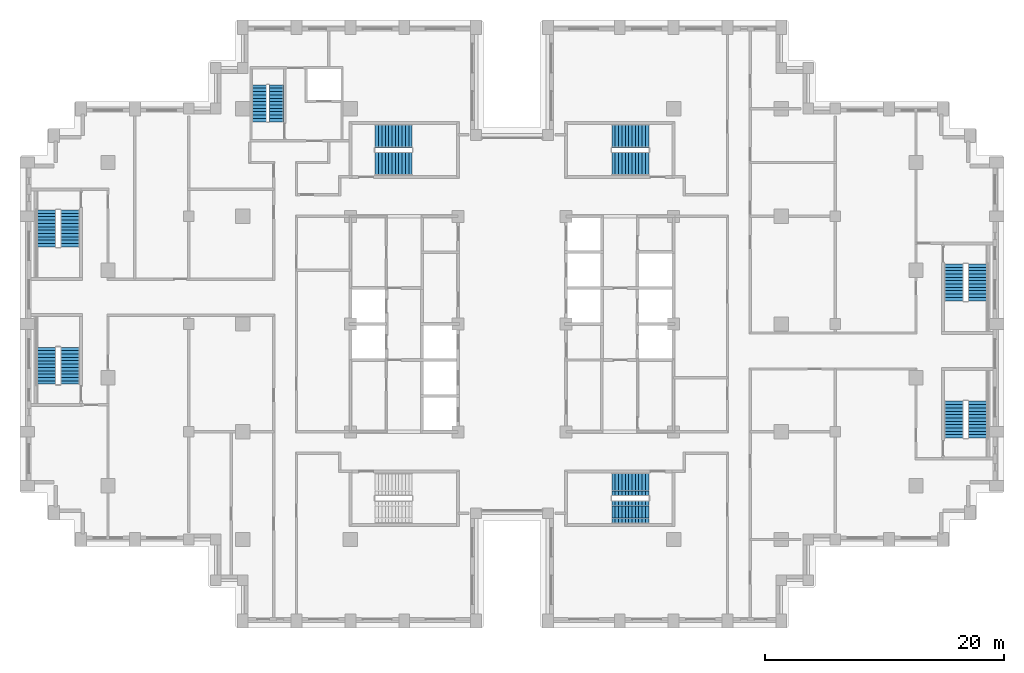
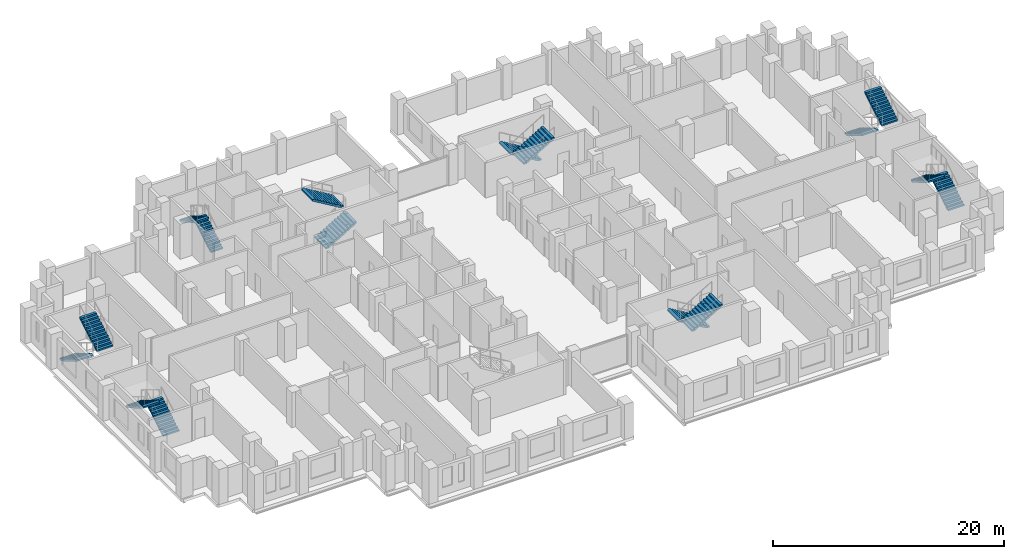
# One storey, part 13 of 15: 16 stair flights, 8 elements without a shape of their own.
"""IFC4 building model written with IfcOpenShell, lengths in metres."""

from ifc_helpers import new_model, si_unit, direction, frame, origin, place, context, subcontext, project, spatial, polyline, outline, extrude, material, type_object, element, aggregate, save


model = new_model("IFC4")

# Units and contexts
model_context = context("Model", 3, precision=1e-05, world=origin(), true_north=direction((0.0, 1.0)))
body_context = subcontext(model_context, "Body", "Model", "MODEL_VIEW")
ifc_project = project(units=[si_unit("LENGTHUNIT", "METRE"), si_unit("AREAUNIT", "SQUARE_METRE"), si_unit("VOLUMEUNIT", "CUBIC_METRE"), si_unit("PLANEANGLEUNIT", "RADIAN"), si_unit("MASSUNIT", "GRAM", prefix="KILO")], contexts=[model_context])

# Site, building, storey
site_placement = place(None, origin())
site = spatial("IfcSite", under=ifc_project, at=site_placement, CompositionType="ELEMENT")
building_placement = place(site_placement, origin())
building = spatial("IfcBuilding", under=site, at=building_placement, Name="Corbelhall Arena Tower", CompositionType="ELEMENT")
storey_placement = place(building_placement, frame((0.0, 0.0, 100.0)))
storey = spatial("IfcBuildingStorey", under=building, at=storey_placement, Name="L17", CompositionType="ELEMENT", Elevation=100.0)

# Stair, stair flights
ifc_material = material(Name="Concrete C40/50", Category="concrete")
stair_type = type_object("IfcStairType", Name="IN-ST-TOWER", PredefinedType="HALF_TURN_STAIR", material=ifc_material)
stair_1_placement = place(storey_placement, origin())
stair_1 = element("IfcStair", 1, at=stair_1_placement, inside=storey, type_object=stair_type, Name="L17 Exit stair ST1", PredefinedType="HALF_TURN_STAIR")
stair_flight_type = type_object("IfcStairFlightType", Name="IN-SFL-RC", PredefinedType="STRAIGHT", material=ifc_material)
stair_flight_1_placement = place(storey_placement, frame((-11.425048828125, 13.39990234375, 0.0), z_axis=(0.0, 0.0, 1.0), x_axis=(1.0, 0.0, 0.0)))
stair_flight_1 = element("IfcStairFlight", 2, at=stair_flight_1_placement, type_object=stair_flight_type, Name="ST1 flight 1", NumberOfRisers=12, NumberOfTreads=11, PredefinedType="STRAIGHT", RiserHeight=0.166666667, TreadLength=0.28, context=body_context, shape_type="SweptSolid", body=[
    extrude(outline(polyline([(0.0, 0.0), (0.0, 0.166748046875), (0.280029296875, 0.166748046875), (0.280029296875, 0.333251953125), (0.56005859375, 0.333251953125), (0.56005859375, 0.5), (0.840087890625, 0.5), (0.840087890625, 0.666748046875), (1.1201171875, 0.666748046875), (1.1201171875, 0.833251953125), (1.39990234375, 0.833251953125), (1.39990234375, 1.0), (1.679931640625, 1.0), (1.679931640625, 1.166748046875), (1.9599609375, 1.166748046875), (1.9599609375, 1.333251953125), (2.239990234375, 1.333251953125), (2.239990234375, 1.5), (2.52001953125, 1.5), (2.52001953125, 1.666748046875), (2.800048828125, 1.666748046875), (2.800048828125, 1.833251953125), (3.080078125, 1.833251953125), (3.080078125, 2.0), (3.080078125, 1.658935546875), (0.29296875, 0.0), (0.0, 0.0)])), frame((0.0, 0.97509765625, 0.0), z_axis=(0.0, -1.0, 0.0), x_axis=(1.0, 0.0, 0.0)), (0.0, 0.0, 1.0), 0.449951171875),
    extrude(outline(polyline([(0.0, 0.0), (0.0, 0.166748046875), (0.280029296875, 0.166748046875), (0.280029296875, 0.333251953125), (0.56005859375, 0.333251953125), (0.56005859375, 0.5), (0.840087890625, 0.5), (0.840087890625, 0.666748046875), (1.1201171875, 0.666748046875), (1.1201171875, 0.833251953125), (1.39990234375, 0.833251953125), (1.39990234375, 1.0), (1.679931640625, 1.0), (1.679931640625, 1.166748046875), (1.9599609375, 1.166748046875), (1.9599609375, 1.333251953125), (2.239990234375, 1.333251953125), (2.239990234375, 1.5), (2.52001953125, 1.5), (2.52001953125, 1.666748046875), (2.800048828125, 1.666748046875), (2.800048828125, 1.833251953125), (3.080078125, 1.833251953125), (3.080078125, 2.0), (3.080078125, 1.658935546875), (0.29296875, 0.0), (0.0, 0.0)])), frame((0.0, 0.52099609375, 0.0), z_axis=(0.0, -1.0, 0.0), x_axis=(1.0, 0.0, 0.0)), (0.0, 0.0, 1.0), 1.0419921875),
    extrude(outline(polyline([(0.0, 0.0), (0.0, 0.166748046875), (0.280029296875, 0.166748046875), (0.280029296875, 0.333251953125), (0.56005859375, 0.333251953125), (0.56005859375, 0.5), (0.840087890625, 0.5), (0.840087890625, 0.666748046875), (1.1201171875, 0.666748046875), (1.1201171875, 0.833251953125), (1.39990234375, 0.833251953125), (1.39990234375, 1.0), (1.679931640625, 1.0), (1.679931640625, 1.166748046875), (1.9599609375, 1.166748046875), (1.9599609375, 1.333251953125), (2.239990234375, 1.333251953125), (2.239990234375, 1.5), (2.52001953125, 1.5), (2.52001953125, 1.666748046875), (2.800048828125, 1.666748046875), (2.800048828125, 1.833251953125), (3.080078125, 1.833251953125), (3.080078125, 2.0), (3.080078125, 1.658935546875), (0.29296875, 0.0), (0.0, 0.0)])), frame((0.0, -0.52490234375, 0.0), z_axis=(0.0, -1.0, 0.0), x_axis=(1.0, 0.0, 0.0)), (0.0, 0.0, 1.0), 0.449951171875),
])
stair_flight_2_placement = place(storey_placement, frame((-8.344970703125, 15.699951171875, 2.0), z_axis=(0.0, 0.0, 1.0), x_axis=(-1.0, 0.0, 0.0)))
stair_flight_2 = element("IfcStairFlight", 3, at=stair_flight_2_placement, type_object=stair_flight_type, Name="ST1 flight 2", NumberOfRisers=12, NumberOfTreads=11, PredefinedType="STRAIGHT", RiserHeight=0.166666667, TreadLength=0.28, context=body_context, shape_type="SweptSolid", body=[
    extrude(outline(polyline([(0.0, 0.0), (0.0, 0.166748046875), (0.280029296875, 0.166748046875), (0.280029296875, 0.333251953125), (0.56005859375, 0.333251953125), (0.56005859375, 0.5), (0.840087890625, 0.5), (0.840087890625, 0.666748046875), (1.1201171875, 0.666748046875), (1.1201171875, 0.833251953125), (1.39990234375, 0.833251953125), (1.39990234375, 1.0), (1.679931640625, 1.0), (1.679931640625, 1.166748046875), (1.9599609375, 1.166748046875), (1.9599609375, 1.333251953125), (2.239990234375, 1.333251953125), (2.239990234375, 1.5), (2.52001953125, 1.5), (2.52001953125, 1.666748046875), (2.800048828125, 1.666748046875), (2.800048828125, 1.833251953125), (3.080078125, 1.833251953125), (3.080078125, 2.0), (3.080078125, 1.658935546875), (0.29296875, 0.0), (0.0, 0.0)])), frame((0.0, 0.97509765625, 0.0), z_axis=(0.0, -1.0, 0.0), x_axis=(1.0, 0.0, 0.0)), (0.0, 0.0, 1.0), 0.449951171875),
    extrude(outline(polyline([(0.0, 0.0), (0.0, 0.166748046875), (0.280029296875, 0.166748046875), (0.280029296875, 0.333251953125), (0.56005859375, 0.333251953125), (0.56005859375, 0.5), (0.840087890625, 0.5), (0.840087890625, 0.666748046875), (1.1201171875, 0.666748046875), (1.1201171875, 0.833251953125), (1.39990234375, 0.833251953125), (1.39990234375, 1.0), (1.679931640625, 1.0), (1.679931640625, 1.166748046875), (1.9599609375, 1.166748046875), (1.9599609375, 1.333251953125), (2.239990234375, 1.333251953125), (2.239990234375, 1.5), (2.52001953125, 1.5), (2.52001953125, 1.666748046875), (2.800048828125, 1.666748046875), (2.800048828125, 1.833251953125), (3.080078125, 1.833251953125), (3.080078125, 2.0), (3.080078125, 1.658935546875), (0.29296875, 0.0), (0.0, 0.0)])), frame((0.0, 0.52099609375, 0.0), z_axis=(0.0, -1.0, 0.0), x_axis=(1.0, 0.0, 0.0)), (0.0, 0.0, 1.0), 1.0419921875),
    extrude(outline(polyline([(0.0, 0.0), (0.0, 0.166748046875), (0.280029296875, 0.166748046875), (0.280029296875, 0.333251953125), (0.56005859375, 0.333251953125), (0.56005859375, 0.5), (0.840087890625, 0.5), (0.840087890625, 0.666748046875), (1.1201171875, 0.666748046875), (1.1201171875, 0.833251953125), (1.39990234375, 0.833251953125), (1.39990234375, 1.0), (1.679931640625, 1.0), (1.679931640625, 1.166748046875), (1.9599609375, 1.166748046875), (1.9599609375, 1.333251953125), (2.239990234375, 1.333251953125), (2.239990234375, 1.5), (2.52001953125, 1.5), (2.52001953125, 1.666748046875), (2.800048828125, 1.666748046875), (2.800048828125, 1.833251953125), (3.080078125, 1.833251953125), (3.080078125, 2.0), (3.080078125, 1.658935546875), (0.29296875, 0.0), (0.0, 0.0)])), frame((0.0, -0.52490234375, 0.0), z_axis=(0.0, -1.0, 0.0), x_axis=(1.0, 0.0, 0.0)), (0.0, 0.0, 1.0), 0.449951171875),
])
aggregate(stair_1, [stair_flight_1, stair_flight_2])

stair_2_placement = place(storey_placement, origin())
stair_2 = element("IfcStair", 4, at=stair_2_placement, inside=storey, type_object=stair_type, Name="L17 Exit stair ST3", PredefinedType="HALF_TURN_STAIR")
stair_flight_3_placement = place(storey_placement, frame((11.425048828125, 15.699951171875, 0.0), z_axis=(0.0, 0.0, 1.0), x_axis=(-1.0, 0.0, 0.0)))
stair_flight_3 = element("IfcStairFlight", 5, at=stair_flight_3_placement, type_object=stair_flight_type, Name="ST3 flight 1", NumberOfRisers=12, NumberOfTreads=11, PredefinedType="STRAIGHT", RiserHeight=0.166666667, TreadLength=0.28, context=body_context, shape_type="SweptSolid", body=[
    extrude(outline(polyline([(0.0, 0.0), (0.0, 0.166748046875), (0.280029296875, 0.166748046875), (0.280029296875, 0.333251953125), (0.56005859375, 0.333251953125), (0.56005859375, 0.5), (0.840087890625, 0.5), (0.840087890625, 0.666748046875), (1.1201171875, 0.666748046875), (1.1201171875, 0.833251953125), (1.39990234375, 0.833251953125), (1.39990234375, 1.0), (1.679931640625, 1.0), (1.679931640625, 1.166748046875), (1.9599609375, 1.166748046875), (1.9599609375, 1.333251953125), (2.239990234375, 1.333251953125), (2.239990234375, 1.5), (2.52001953125, 1.5), (2.52001953125, 1.666748046875), (2.800048828125, 1.666748046875), (2.800048828125, 1.833251953125), (3.080078125, 1.833251953125), (3.080078125, 2.0), (3.080078125, 1.658935546875), (0.29296875, 0.0), (0.0, 0.0)])), frame((0.0, 0.97509765625, 0.0), z_axis=(0.0, -1.0, 0.0), x_axis=(1.0, 0.0, 0.0)), (0.0, 0.0, 1.0), 0.449951171875),
    extrude(outline(polyline([(0.0, 0.0), (0.0, 0.166748046875), (0.280029296875, 0.166748046875), (0.280029296875, 0.333251953125), (0.56005859375, 0.333251953125), (0.56005859375, 0.5), (0.840087890625, 0.5), (0.840087890625, 0.666748046875), (1.1201171875, 0.666748046875), (1.1201171875, 0.833251953125), (1.39990234375, 0.833251953125), (1.39990234375, 1.0), (1.679931640625, 1.0), (1.679931640625, 1.166748046875), (1.9599609375, 1.166748046875), (1.9599609375, 1.333251953125), (2.239990234375, 1.333251953125), (2.239990234375, 1.5), (2.52001953125, 1.5), (2.52001953125, 1.666748046875), (2.800048828125, 1.666748046875), (2.800048828125, 1.833251953125), (3.080078125, 1.833251953125), (3.080078125, 2.0), (3.080078125, 1.658935546875), (0.29296875, 0.0), (0.0, 0.0)])), frame((0.0, 0.52099609375, 0.0), z_axis=(0.0, -1.0, 0.0), x_axis=(1.0, 0.0, 0.0)), (0.0, 0.0, 1.0), 1.0419921875),
    extrude(outline(polyline([(0.0, 0.0), (0.0, 0.166748046875), (0.280029296875, 0.166748046875), (0.280029296875, 0.333251953125), (0.56005859375, 0.333251953125), (0.56005859375, 0.5), (0.840087890625, 0.5), (0.840087890625, 0.666748046875), (1.1201171875, 0.666748046875), (1.1201171875, 0.833251953125), (1.39990234375, 0.833251953125), (1.39990234375, 1.0), (1.679931640625, 1.0), (1.679931640625, 1.166748046875), (1.9599609375, 1.166748046875), (1.9599609375, 1.333251953125), (2.239990234375, 1.333251953125), (2.239990234375, 1.5), (2.52001953125, 1.5), (2.52001953125, 1.666748046875), (2.800048828125, 1.666748046875), (2.800048828125, 1.833251953125), (3.080078125, 1.833251953125), (3.080078125, 2.0), (3.080078125, 1.658935546875), (0.29296875, 0.0), (0.0, 0.0)])), frame((0.0, -0.52490234375, 0.0), z_axis=(0.0, -1.0, 0.0), x_axis=(1.0, 0.0, 0.0)), (0.0, 0.0, 1.0), 0.449951171875),
])
stair_flight_4_placement = place(storey_placement, frame((8.344970703125, 13.39990234375, 2.0), z_axis=(0.0, 0.0, 1.0), x_axis=(1.0, 0.0, 0.0)))
stair_flight_4 = element("IfcStairFlight", 6, at=stair_flight_4_placement, type_object=stair_flight_type, Name="ST3 flight 2", NumberOfRisers=12, NumberOfTreads=11, PredefinedType="STRAIGHT", RiserHeight=0.166666667, TreadLength=0.28, context=body_context, shape_type="SweptSolid", body=[
    extrude(outline(polyline([(0.0, 0.0), (0.0, 0.166748046875), (0.280029296875, 0.166748046875), (0.280029296875, 0.333251953125), (0.56005859375, 0.333251953125), (0.56005859375, 0.5), (0.840087890625, 0.5), (0.840087890625, 0.666748046875), (1.1201171875, 0.666748046875), (1.1201171875, 0.833251953125), (1.39990234375, 0.833251953125), (1.39990234375, 1.0), (1.679931640625, 1.0), (1.679931640625, 1.166748046875), (1.9599609375, 1.166748046875), (1.9599609375, 1.333251953125), (2.239990234375, 1.333251953125), (2.239990234375, 1.5), (2.52001953125, 1.5), (2.52001953125, 1.666748046875), (2.800048828125, 1.666748046875), (2.800048828125, 1.833251953125), (3.080078125, 1.833251953125), (3.080078125, 2.0), (3.080078125, 1.658935546875), (0.29296875, 0.0), (0.0, 0.0)])), frame((0.0, 0.97509765625, 0.0), z_axis=(0.0, -1.0, 0.0), x_axis=(1.0, 0.0, 0.0)), (0.0, 0.0, 1.0), 0.449951171875),
    extrude(outline(polyline([(0.0, 0.0), (0.0, 0.166748046875), (0.280029296875, 0.166748046875), (0.280029296875, 0.333251953125), (0.56005859375, 0.333251953125), (0.56005859375, 0.5), (0.840087890625, 0.5), (0.840087890625, 0.666748046875), (1.1201171875, 0.666748046875), (1.1201171875, 0.833251953125), (1.39990234375, 0.833251953125), (1.39990234375, 1.0), (1.679931640625, 1.0), (1.679931640625, 1.166748046875), (1.9599609375, 1.166748046875), (1.9599609375, 1.333251953125), (2.239990234375, 1.333251953125), (2.239990234375, 1.5), (2.52001953125, 1.5), (2.52001953125, 1.666748046875), (2.800048828125, 1.666748046875), (2.800048828125, 1.833251953125), (3.080078125, 1.833251953125), (3.080078125, 2.0), (3.080078125, 1.658935546875), (0.29296875, 0.0), (0.0, 0.0)])), frame((0.0, 0.52099609375, 0.0), z_axis=(0.0, -1.0, 0.0), x_axis=(1.0, 0.0, 0.0)), (0.0, 0.0, 1.0), 1.0419921875),
    extrude(outline(polyline([(0.0, 0.0), (0.0, 0.166748046875), (0.280029296875, 0.166748046875), (0.280029296875, 0.333251953125), (0.56005859375, 0.333251953125), (0.56005859375, 0.5), (0.840087890625, 0.5), (0.840087890625, 0.666748046875), (1.1201171875, 0.666748046875), (1.1201171875, 0.833251953125), (1.39990234375, 0.833251953125), (1.39990234375, 1.0), (1.679931640625, 1.0), (1.679931640625, 1.166748046875), (1.9599609375, 1.166748046875), (1.9599609375, 1.333251953125), (2.239990234375, 1.333251953125), (2.239990234375, 1.5), (2.52001953125, 1.5), (2.52001953125, 1.666748046875), (2.800048828125, 1.666748046875), (2.800048828125, 1.833251953125), (3.080078125, 1.833251953125), (3.080078125, 2.0), (3.080078125, 1.658935546875), (0.29296875, 0.0), (0.0, 0.0)])), frame((0.0, -0.52490234375, 0.0), z_axis=(0.0, -1.0, 0.0), x_axis=(1.0, 0.0, 0.0)), (0.0, 0.0, 1.0), 0.449951171875),
])
aggregate(stair_2, [stair_flight_3, stair_flight_4])

stair_3_placement = place(storey_placement, origin())
stair_3 = element("IfcStair", 7, at=stair_3_placement, inside=storey, type_object=stair_type, Name="L17 Exit stair ST4", PredefinedType="HALF_TURN_STAIR")
stair_flight_5_placement = place(storey_placement, frame((11.425048828125, -13.39990234375, 0.0), z_axis=(0.0, 0.0, 1.0), x_axis=(-1.0, 0.0, 0.0)))
stair_flight_5 = element("IfcStairFlight", 8, at=stair_flight_5_placement, type_object=stair_flight_type, Name="ST4 flight 1", NumberOfRisers=12, NumberOfTreads=11, PredefinedType="STRAIGHT", RiserHeight=0.166666667, TreadLength=0.28, context=body_context, shape_type="SweptSolid", body=[
    extrude(outline(polyline([(0.0, 0.0), (0.0, 0.166748046875), (0.280029296875, 0.166748046875), (0.280029296875, 0.333251953125), (0.56005859375, 0.333251953125), (0.56005859375, 0.5), (0.840087890625, 0.5), (0.840087890625, 0.666748046875), (1.1201171875, 0.666748046875), (1.1201171875, 0.833251953125), (1.39990234375, 0.833251953125), (1.39990234375, 1.0), (1.679931640625, 1.0), (1.679931640625, 1.166748046875), (1.9599609375, 1.166748046875), (1.9599609375, 1.333251953125), (2.239990234375, 1.333251953125), (2.239990234375, 1.5), (2.52001953125, 1.5), (2.52001953125, 1.666748046875), (2.800048828125, 1.666748046875), (2.800048828125, 1.833251953125), (3.080078125, 1.833251953125), (3.080078125, 2.0), (3.080078125, 1.658935546875), (0.29296875, 0.0), (0.0, 0.0)])), frame((0.0, 0.97509765625, 0.0), z_axis=(0.0, -1.0, 0.0), x_axis=(1.0, 0.0, 0.0)), (0.0, 0.0, 1.0), 0.449951171875),
    extrude(outline(polyline([(0.0, 0.0), (0.0, 0.166748046875), (0.280029296875, 0.166748046875), (0.280029296875, 0.333251953125), (0.56005859375, 0.333251953125), (0.56005859375, 0.5), (0.840087890625, 0.5), (0.840087890625, 0.666748046875), (1.1201171875, 0.666748046875), (1.1201171875, 0.833251953125), (1.39990234375, 0.833251953125), (1.39990234375, 1.0), (1.679931640625, 1.0), (1.679931640625, 1.166748046875), (1.9599609375, 1.166748046875), (1.9599609375, 1.333251953125), (2.239990234375, 1.333251953125), (2.239990234375, 1.5), (2.52001953125, 1.5), (2.52001953125, 1.666748046875), (2.800048828125, 1.666748046875), (2.800048828125, 1.833251953125), (3.080078125, 1.833251953125), (3.080078125, 2.0), (3.080078125, 1.658935546875), (0.29296875, 0.0), (0.0, 0.0)])), frame((0.0, 0.52099609375, 0.0), z_axis=(0.0, -1.0, 0.0), x_axis=(1.0, 0.0, 0.0)), (0.0, 0.0, 1.0), 1.0419921875),
    extrude(outline(polyline([(0.0, 0.0), (0.0, 0.166748046875), (0.280029296875, 0.166748046875), (0.280029296875, 0.333251953125), (0.56005859375, 0.333251953125), (0.56005859375, 0.5), (0.840087890625, 0.5), (0.840087890625, 0.666748046875), (1.1201171875, 0.666748046875), (1.1201171875, 0.833251953125), (1.39990234375, 0.833251953125), (1.39990234375, 1.0), (1.679931640625, 1.0), (1.679931640625, 1.166748046875), (1.9599609375, 1.166748046875), (1.9599609375, 1.333251953125), (2.239990234375, 1.333251953125), (2.239990234375, 1.5), (2.52001953125, 1.5), (2.52001953125, 1.666748046875), (2.800048828125, 1.666748046875), (2.800048828125, 1.833251953125), (3.080078125, 1.833251953125), (3.080078125, 2.0), (3.080078125, 1.658935546875), (0.29296875, 0.0), (0.0, 0.0)])), frame((0.0, -0.52490234375, 0.0), z_axis=(0.0, -1.0, 0.0), x_axis=(1.0, 0.0, 0.0)), (0.0, 0.0, 1.0), 0.449951171875),
])
stair_flight_6_placement = place(storey_placement, frame((8.344970703125, -15.699951171875, 2.0), z_axis=(0.0, 0.0, 1.0), x_axis=(1.0, 0.0, 0.0)))
stair_flight_6 = element("IfcStairFlight", 9, at=stair_flight_6_placement, type_object=stair_flight_type, Name="ST4 flight 2", NumberOfRisers=12, NumberOfTreads=11, PredefinedType="STRAIGHT", RiserHeight=0.166666667, TreadLength=0.28, context=body_context, shape_type="SweptSolid", body=[
    extrude(outline(polyline([(0.0, 0.0), (0.0, 0.166748046875), (0.280029296875, 0.166748046875), (0.280029296875, 0.333251953125), (0.56005859375, 0.333251953125), (0.56005859375, 0.5), (0.840087890625, 0.5), (0.840087890625, 0.666748046875), (1.1201171875, 0.666748046875), (1.1201171875, 0.833251953125), (1.39990234375, 0.833251953125), (1.39990234375, 1.0), (1.679931640625, 1.0), (1.679931640625, 1.166748046875), (1.9599609375, 1.166748046875), (1.9599609375, 1.333251953125), (2.239990234375, 1.333251953125), (2.239990234375, 1.5), (2.52001953125, 1.5), (2.52001953125, 1.666748046875), (2.800048828125, 1.666748046875), (2.800048828125, 1.833251953125), (3.080078125, 1.833251953125), (3.080078125, 2.0), (3.080078125, 1.658935546875), (0.29296875, 0.0), (0.0, 0.0)])), frame((0.0, 0.97509765625, 0.0), z_axis=(0.0, -1.0, 0.0), x_axis=(1.0, 0.0, 0.0)), (0.0, 0.0, 1.0), 0.449951171875),
    extrude(outline(polyline([(0.0, 0.0), (0.0, 0.166748046875), (0.280029296875, 0.166748046875), (0.280029296875, 0.333251953125), (0.56005859375, 0.333251953125), (0.56005859375, 0.5), (0.840087890625, 0.5), (0.840087890625, 0.666748046875), (1.1201171875, 0.666748046875), (1.1201171875, 0.833251953125), (1.39990234375, 0.833251953125), (1.39990234375, 1.0), (1.679931640625, 1.0), (1.679931640625, 1.166748046875), (1.9599609375, 1.166748046875), (1.9599609375, 1.333251953125), (2.239990234375, 1.333251953125), (2.239990234375, 1.5), (2.52001953125, 1.5), (2.52001953125, 1.666748046875), (2.800048828125, 1.666748046875), (2.800048828125, 1.833251953125), (3.080078125, 1.833251953125), (3.080078125, 2.0), (3.080078125, 1.658935546875), (0.29296875, 0.0), (0.0, 0.0)])), frame((0.0, 0.52099609375, 0.0), z_axis=(0.0, -1.0, 0.0), x_axis=(1.0, 0.0, 0.0)), (0.0, 0.0, 1.0), 1.0419921875),
    extrude(outline(polyline([(0.0, 0.0), (0.0, 0.166748046875), (0.280029296875, 0.166748046875), (0.280029296875, 0.333251953125), (0.56005859375, 0.333251953125), (0.56005859375, 0.5), (0.840087890625, 0.5), (0.840087890625, 0.666748046875), (1.1201171875, 0.666748046875), (1.1201171875, 0.833251953125), (1.39990234375, 0.833251953125), (1.39990234375, 1.0), (1.679931640625, 1.0), (1.679931640625, 1.166748046875), (1.9599609375, 1.166748046875), (1.9599609375, 1.333251953125), (2.239990234375, 1.333251953125), (2.239990234375, 1.5), (2.52001953125, 1.5), (2.52001953125, 1.666748046875), (2.800048828125, 1.666748046875), (2.800048828125, 1.833251953125), (3.080078125, 1.833251953125), (3.080078125, 2.0), (3.080078125, 1.658935546875), (0.29296875, 0.0), (0.0, 0.0)])), frame((0.0, -0.52490234375, 0.0), z_axis=(0.0, -1.0, 0.0), x_axis=(1.0, 0.0, 0.0)), (0.0, 0.0, 1.0), 0.449951171875),
])
aggregate(stair_3, [stair_flight_5, stair_flight_6])

stair_4_placement = place(storey_placement, origin())
stair_4 = element("IfcStair", 10, at=stair_4_placement, inside=storey, type_object=stair_type, Name="L17 Exit stair SC1", PredefinedType="HALF_TURN_STAIR")
stair_flight_7_placement = place(storey_placement, frame((-38.89990234375, 9.52490234375, 0.0), z_axis=(0.0, 0.0, 1.0), x_axis=(0.0, -1.0, 0.0)))
stair_flight_7 = element("IfcStairFlight", 11, at=stair_flight_7_placement, type_object=stair_flight_type, Name="SC1 flight 1", NumberOfRisers=12, NumberOfTreads=11, PredefinedType="STRAIGHT", RiserHeight=0.166666667, TreadLength=0.28, context=body_context, shape_type="SweptSolid", body=[
    extrude(outline(polyline([(0.0, 0.0), (0.0, 0.166748046875), (0.280029296875, 0.166748046875), (0.280029296875, 0.333251953125), (0.56005859375, 0.333251953125), (0.56005859375, 0.5), (0.840087890625, 0.5), (0.840087890625, 0.666748046875), (1.1201171875, 0.666748046875), (1.1201171875, 0.833251953125), (1.39990234375, 0.833251953125), (1.39990234375, 1.0), (1.679931640625, 1.0), (1.679931640625, 1.166748046875), (1.9599609375, 1.166748046875), (1.9599609375, 1.333251953125), (2.239990234375, 1.333251953125), (2.239990234375, 1.5), (2.52001953125, 1.5), (2.52001953125, 1.666748046875), (2.800048828125, 1.666748046875), (2.800048828125, 1.833251953125), (3.080078125, 1.833251953125), (3.080078125, 2.0), (3.080078125, 1.658935546875), (0.29296875, 0.0), (0.0, 0.0)])), frame((0.0, 0.800048828125, 0.0), z_axis=(0.0, -1.0, 0.0), x_axis=(1.0, 0.0, 0.0)), (0.0, 0.0, 1.0), 1.60009765625),
])
stair_flight_8_placement = place(storey_placement, frame((-36.925048828125, 6.445068359375, 2.0), z_axis=(0.0, 0.0, 1.0), x_axis=(0.0, 1.0, 0.0)))
stair_flight_8 = element("IfcStairFlight", 12, at=stair_flight_8_placement, type_object=stair_flight_type, Name="SC1 flight 2", NumberOfRisers=12, NumberOfTreads=11, PredefinedType="STRAIGHT", RiserHeight=0.166666667, TreadLength=0.28, context=body_context, shape_type="SweptSolid", body=[
    extrude(outline(polyline([(0.0, 0.0), (0.0, 0.166748046875), (0.280029296875, 0.166748046875), (0.280029296875, 0.333251953125), (0.56005859375, 0.333251953125), (0.56005859375, 0.5), (0.840087890625, 0.5), (0.840087890625, 0.666748046875), (1.1201171875, 0.666748046875), (1.1201171875, 0.833251953125), (1.39990234375, 0.833251953125), (1.39990234375, 1.0), (1.679931640625, 1.0), (1.679931640625, 1.166748046875), (1.9599609375, 1.166748046875), (1.9599609375, 1.333251953125), (2.239990234375, 1.333251953125), (2.239990234375, 1.5), (2.52001953125, 1.5), (2.52001953125, 1.666748046875), (2.800048828125, 1.666748046875), (2.800048828125, 1.833251953125), (3.080078125, 1.833251953125), (3.080078125, 2.0), (3.080078125, 1.658935546875), (0.29296875, 0.0), (0.0, 0.0)])), frame((0.0, 0.800048828125, 0.0), z_axis=(0.0, -1.0, 0.0), x_axis=(1.0, 0.0, 0.0)), (0.0, 0.0, 1.0), 1.60009765625),
])
aggregate(stair_4, [stair_flight_7, stair_flight_8])

stair_5_placement = place(storey_placement, origin())
stair_5 = element("IfcStair", 13, at=stair_5_placement, inside=storey, type_object=stair_type, Name="L17 Exit stair SC2", PredefinedType="HALF_TURN_STAIR")
stair_flight_9_placement = place(storey_placement, frame((-36.925048828125, -5.02490234375, 0.0), z_axis=(0.0, 0.0, 1.0), x_axis=(0.0, 1.0, 0.0)))
stair_flight_9 = element("IfcStairFlight", 14, at=stair_flight_9_placement, type_object=stair_flight_type, Name="SC2 flight 1", NumberOfRisers=12, NumberOfTreads=11, PredefinedType="STRAIGHT", RiserHeight=0.166666667, TreadLength=0.28, context=body_context, shape_type="SweptSolid", body=[
    extrude(outline(polyline([(0.0, 0.0), (0.0, 0.166748046875), (0.280029296875, 0.166748046875), (0.280029296875, 0.333251953125), (0.56005859375, 0.333251953125), (0.56005859375, 0.5), (0.840087890625, 0.5), (0.840087890625, 0.666748046875), (1.1201171875, 0.666748046875), (1.1201171875, 0.833251953125), (1.39990234375, 0.833251953125), (1.39990234375, 1.0), (1.679931640625, 1.0), (1.679931640625, 1.166748046875), (1.9599609375, 1.166748046875), (1.9599609375, 1.333251953125), (2.239990234375, 1.333251953125), (2.239990234375, 1.5), (2.52001953125, 1.5), (2.52001953125, 1.666748046875), (2.800048828125, 1.666748046875), (2.800048828125, 1.833251953125), (3.080078125, 1.833251953125), (3.080078125, 2.0), (3.080078125, 1.658935546875), (0.29296875, 0.0), (0.0, 0.0)])), frame((0.0, 0.800048828125, 0.0), z_axis=(0.0, -1.0, 0.0), x_axis=(1.0, 0.0, 0.0)), (0.0, 0.0, 1.0), 1.60009765625),
])
stair_flight_10_placement = place(storey_placement, frame((-38.89990234375, -1.945068359375, 2.0), z_axis=(0.0, 0.0, 1.0), x_axis=(0.0, -1.0, 0.0)))
stair_flight_10 = element("IfcStairFlight", 15, at=stair_flight_10_placement, type_object=stair_flight_type, Name="SC2 flight 2", NumberOfRisers=12, NumberOfTreads=11, PredefinedType="STRAIGHT", RiserHeight=0.166666667, TreadLength=0.28, context=body_context, shape_type="SweptSolid", body=[
    extrude(outline(polyline([(0.0, 0.0), (0.0, 0.166748046875), (0.280029296875, 0.166748046875), (0.280029296875, 0.333251953125), (0.56005859375, 0.333251953125), (0.56005859375, 0.5), (0.840087890625, 0.5), (0.840087890625, 0.666748046875), (1.1201171875, 0.666748046875), (1.1201171875, 0.833251953125), (1.39990234375, 0.833251953125), (1.39990234375, 1.0), (1.679931640625, 1.0), (1.679931640625, 1.166748046875), (1.9599609375, 1.166748046875), (1.9599609375, 1.333251953125), (2.239990234375, 1.333251953125), (2.239990234375, 1.5), (2.52001953125, 1.5), (2.52001953125, 1.666748046875), (2.800048828125, 1.666748046875), (2.800048828125, 1.833251953125), (3.080078125, 1.833251953125), (3.080078125, 2.0), (3.080078125, 1.658935546875), (0.29296875, 0.0), (0.0, 0.0)])), frame((0.0, 0.800048828125, 0.0), z_axis=(0.0, -1.0, 0.0), x_axis=(1.0, 0.0, 0.0)), (0.0, 0.0, 1.0), 1.60009765625),
])
aggregate(stair_5, [stair_flight_9, stair_flight_10])

stair_6_placement = place(storey_placement, origin())
stair_6 = element("IfcStair", 16, at=stair_6_placement, inside=storey, type_object=stair_type, Name="L17 Exit stair SD1", PredefinedType="HALF_TURN_STAIR")
stair_flight_11_placement = place(storey_placement, frame((38.89990234375, -9.52490234375, 0.0), z_axis=(0.0, 0.0, 1.0), x_axis=(0.0, 1.0, 0.0)))
stair_flight_11 = element("IfcStairFlight", 17, at=stair_flight_11_placement, type_object=stair_flight_type, Name="SD1 flight 1", NumberOfRisers=12, NumberOfTreads=11, PredefinedType="STRAIGHT", RiserHeight=0.166666667, TreadLength=0.28, context=body_context, shape_type="SweptSolid", body=[
    extrude(outline(polyline([(0.0, 0.0), (0.0, 0.166748046875), (0.280029296875, 0.166748046875), (0.280029296875, 0.333251953125), (0.56005859375, 0.333251953125), (0.56005859375, 0.5), (0.840087890625, 0.5), (0.840087890625, 0.666748046875), (1.1201171875, 0.666748046875), (1.1201171875, 0.833251953125), (1.39990234375, 0.833251953125), (1.39990234375, 1.0), (1.679931640625, 1.0), (1.679931640625, 1.166748046875), (1.9599609375, 1.166748046875), (1.9599609375, 1.333251953125), (2.239990234375, 1.333251953125), (2.239990234375, 1.5), (2.52001953125, 1.5), (2.52001953125, 1.666748046875), (2.800048828125, 1.666748046875), (2.800048828125, 1.833251953125), (3.080078125, 1.833251953125), (3.080078125, 2.0), (3.080078125, 1.658935546875), (0.29296875, 0.0), (0.0, 0.0)])), frame((0.0, 0.800048828125, 0.0), z_axis=(0.0, -1.0, 0.0), x_axis=(1.0, 0.0, 0.0)), (0.0, 0.0, 1.0), 1.60009765625),
])
stair_flight_12_placement = place(storey_placement, frame((36.925048828125, -6.445068359375, 2.0), z_axis=(0.0, 0.0, 1.0), x_axis=(0.0, -1.0, 0.0)))
stair_flight_12 = element("IfcStairFlight", 18, at=stair_flight_12_placement, type_object=stair_flight_type, Name="SD1 flight 2", NumberOfRisers=12, NumberOfTreads=11, PredefinedType="STRAIGHT", RiserHeight=0.166666667, TreadLength=0.28, context=body_context, shape_type="SweptSolid", body=[
    extrude(outline(polyline([(0.0, 0.0), (0.0, 0.166748046875), (0.280029296875, 0.166748046875), (0.280029296875, 0.333251953125), (0.56005859375, 0.333251953125), (0.56005859375, 0.5), (0.840087890625, 0.5), (0.840087890625, 0.666748046875), (1.1201171875, 0.666748046875), (1.1201171875, 0.833251953125), (1.39990234375, 0.833251953125), (1.39990234375, 1.0), (1.679931640625, 1.0), (1.679931640625, 1.166748046875), (1.9599609375, 1.166748046875), (1.9599609375, 1.333251953125), (2.239990234375, 1.333251953125), (2.239990234375, 1.5), (2.52001953125, 1.5), (2.52001953125, 1.666748046875), (2.800048828125, 1.666748046875), (2.800048828125, 1.833251953125), (3.080078125, 1.833251953125), (3.080078125, 2.0), (3.080078125, 1.658935546875), (0.29296875, 0.0), (0.0, 0.0)])), frame((0.0, 0.800048828125, 0.0), z_axis=(0.0, -1.0, 0.0), x_axis=(1.0, 0.0, 0.0)), (0.0, 0.0, 1.0), 1.60009765625),
])
aggregate(stair_6, [stair_flight_11, stair_flight_12])

stair_7_placement = place(storey_placement, origin())
stair_7 = element("IfcStair", 19, at=stair_7_placement, inside=storey, type_object=stair_type, Name="L17 Exit stair SD2", PredefinedType="HALF_TURN_STAIR")
stair_flight_13_placement = place(storey_placement, frame((36.925048828125, 5.02490234375, 0.0), z_axis=(0.0, 0.0, 1.0), x_axis=(0.0, -1.0, 0.0)))
stair_flight_13 = element("IfcStairFlight", 20, at=stair_flight_13_placement, type_object=stair_flight_type, Name="SD2 flight 1", NumberOfRisers=12, NumberOfTreads=11, PredefinedType="STRAIGHT", RiserHeight=0.166666667, TreadLength=0.28, context=body_context, shape_type="SweptSolid", body=[
    extrude(outline(polyline([(0.0, 0.0), (0.0, 0.166748046875), (0.280029296875, 0.166748046875), (0.280029296875, 0.333251953125), (0.56005859375, 0.333251953125), (0.56005859375, 0.5), (0.840087890625, 0.5), (0.840087890625, 0.666748046875), (1.1201171875, 0.666748046875), (1.1201171875, 0.833251953125), (1.39990234375, 0.833251953125), (1.39990234375, 1.0), (1.679931640625, 1.0), (1.679931640625, 1.166748046875), (1.9599609375, 1.166748046875), (1.9599609375, 1.333251953125), (2.239990234375, 1.333251953125), (2.239990234375, 1.5), (2.52001953125, 1.5), (2.52001953125, 1.666748046875), (2.800048828125, 1.666748046875), (2.800048828125, 1.833251953125), (3.080078125, 1.833251953125), (3.080078125, 2.0), (3.080078125, 1.658935546875), (0.29296875, 0.0), (0.0, 0.0)])), frame((0.0, 0.800048828125, 0.0), z_axis=(0.0, -1.0, 0.0), x_axis=(1.0, 0.0, 0.0)), (0.0, 0.0, 1.0), 1.60009765625),
])
stair_flight_14_placement = place(storey_placement, frame((38.89990234375, 1.945068359375, 2.0), z_axis=(0.0, 0.0, 1.0), x_axis=(0.0, 1.0, 0.0)))
stair_flight_14 = element("IfcStairFlight", 21, at=stair_flight_14_placement, type_object=stair_flight_type, Name="SD2 flight 2", NumberOfRisers=12, NumberOfTreads=11, PredefinedType="STRAIGHT", RiserHeight=0.166666667, TreadLength=0.28, context=body_context, shape_type="SweptSolid", body=[
    extrude(outline(polyline([(0.0, 0.0), (0.0, 0.166748046875), (0.280029296875, 0.166748046875), (0.280029296875, 0.333251953125), (0.56005859375, 0.333251953125), (0.56005859375, 0.5), (0.840087890625, 0.5), (0.840087890625, 0.666748046875), (1.1201171875, 0.666748046875), (1.1201171875, 0.833251953125), (1.39990234375, 0.833251953125), (1.39990234375, 1.0), (1.679931640625, 1.0), (1.679931640625, 1.166748046875), (1.9599609375, 1.166748046875), (1.9599609375, 1.333251953125), (2.239990234375, 1.333251953125), (2.239990234375, 1.5), (2.52001953125, 1.5), (2.52001953125, 1.666748046875), (2.800048828125, 1.666748046875), (2.800048828125, 1.833251953125), (3.080078125, 1.833251953125), (3.080078125, 2.0), (3.080078125, 1.658935546875), (0.29296875, 0.0), (0.0, 0.0)])), frame((0.0, 0.800048828125, 0.0), z_axis=(0.0, -1.0, 0.0), x_axis=(1.0, 0.0, 0.0)), (0.0, 0.0, 1.0), 1.60009765625),
])
aggregate(stair_7, [stair_flight_13, stair_flight_14])

stair_8_placement = place(storey_placement, origin())
stair_8 = element("IfcStair", 22, at=stair_8_placement, inside=storey, type_object=stair_type, Name="L17 Exit stair ST5", PredefinedType="HALF_TURN_STAIR")
stair_flight_15_placement = place(storey_placement, frame((-19.695068359375, 16.89990234375, 0.0), z_axis=(0.0, 0.0, 1.0), x_axis=(0.0, 1.0, 0.0)))
stair_flight_15 = element("IfcStairFlight", 23, at=stair_flight_15_placement, type_object=stair_flight_type, Name="ST5 flight 1", NumberOfRisers=12, NumberOfTreads=11, PredefinedType="STRAIGHT", RiserHeight=0.166666667, TreadLength=0.28, context=body_context, shape_type="SweptSolid", body=[
    extrude(outline(polyline([(0.0, 0.0), (0.0, 0.166748046875), (0.280029296875, 0.166748046875), (0.280029296875, 0.333251953125), (0.56005859375, 0.333251953125), (0.56005859375, 0.5), (0.840087890625, 0.5), (0.840087890625, 0.666748046875), (1.1201171875, 0.666748046875), (1.1201171875, 0.833251953125), (1.39990234375, 0.833251953125), (1.39990234375, 1.0), (1.679931640625, 1.0), (1.679931640625, 1.166748046875), (1.9599609375, 1.166748046875), (1.9599609375, 1.333251953125), (2.239990234375, 1.333251953125), (2.239990234375, 1.5), (2.52001953125, 1.5), (2.52001953125, 1.666748046875), (2.800048828125, 1.666748046875), (2.800048828125, 1.833251953125), (3.080078125, 1.833251953125), (3.080078125, 2.0), (3.080078125, 1.658935546875), (0.29296875, 0.0), (0.0, 0.0)])), frame((0.0, 0.60009765625, 0.0), z_axis=(0.0, -1.0, 0.0), x_axis=(1.0, 0.0, 0.0)), (0.0, 0.0, 1.0), 1.199951171875),
])
stair_flight_16_placement = place(storey_placement, frame((-21.094970703125, 19.97998046875, 2.0), z_axis=(0.0, 0.0, 1.0), x_axis=(0.0, -1.0, 0.0)))
stair_flight_16 = element("IfcStairFlight", 24, at=stair_flight_16_placement, type_object=stair_flight_type, Name="ST5 flight 2", NumberOfRisers=12, NumberOfTreads=11, PredefinedType="STRAIGHT", RiserHeight=0.166666667, TreadLength=0.28, context=body_context, shape_type="SweptSolid", body=[
    extrude(outline(polyline([(0.0, 0.0), (0.0, 0.166748046875), (0.280029296875, 0.166748046875), (0.280029296875, 0.333251953125), (0.56005859375, 0.333251953125), (0.56005859375, 0.5), (0.840087890625, 0.5), (0.840087890625, 0.666748046875), (1.1201171875, 0.666748046875), (1.1201171875, 0.833251953125), (1.39990234375, 0.833251953125), (1.39990234375, 1.0), (1.679931640625, 1.0), (1.679931640625, 1.166748046875), (1.9599609375, 1.166748046875), (1.9599609375, 1.333251953125), (2.239990234375, 1.333251953125), (2.239990234375, 1.5), (2.52001953125, 1.5), (2.52001953125, 1.666748046875), (2.800048828125, 1.666748046875), (2.800048828125, 1.833251953125), (3.080078125, 1.833251953125), (3.080078125, 2.0), (3.080078125, 1.658935546875), (0.29296875, 0.0), (0.0, 0.0)])), frame((0.0, 0.60009765625, 0.0), z_axis=(0.0, -1.0, 0.0), x_axis=(1.0, 0.0, 0.0)), (0.0, 0.0, 1.0), 1.199951171875),
])
aggregate(stair_8, [stair_flight_15, stair_flight_16])

save(model, "model.ifc")
